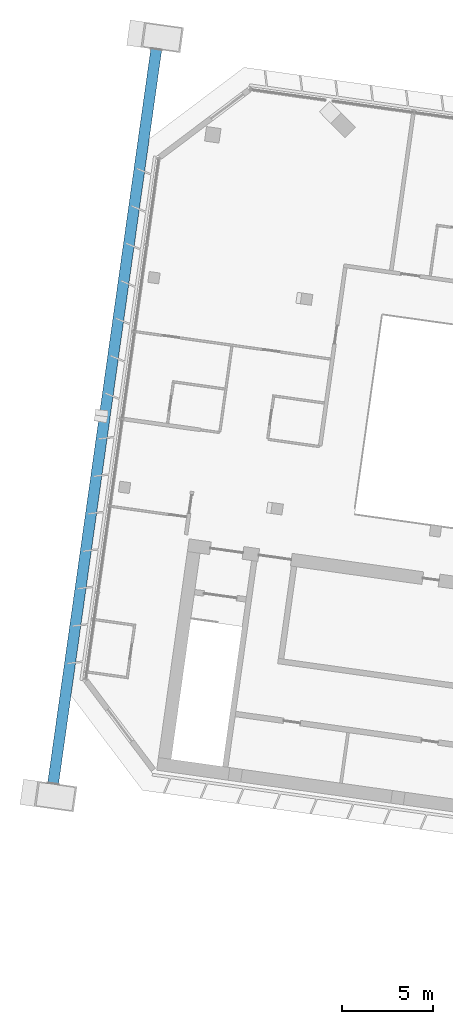
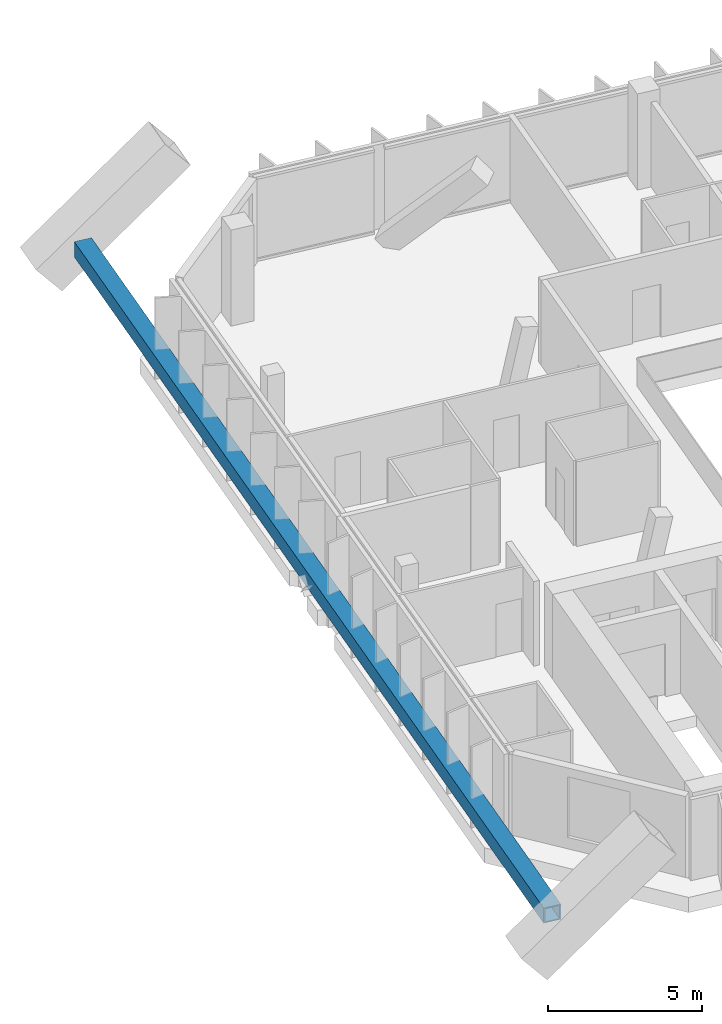
# One storey, part 3 of 32: 1 member.
"""IFC4 building model written with IfcOpenShell, lengths in metres."""

from ifc_helpers import new_model, si_unit, direction, frame, origin, origin_2d, place, context, subcontext, project, spatial, hollow_rectangle, extrude, material, material_profile, profile_set, type_object, element, save


model = new_model("IFC4")

# Units and contexts
model_context = context("Model", 3, precision=1e-05, world=origin(), true_north=direction((0.0, 1.0)))
body_context = subcontext(model_context, "Body", "Model", "MODEL_VIEW")
ifc_project = project(units=[si_unit("LENGTHUNIT", "METRE"), si_unit("AREAUNIT", "SQUARE_METRE"), si_unit("VOLUMEUNIT", "CUBIC_METRE"), si_unit("PLANEANGLEUNIT", "RADIAN"), si_unit("MASSUNIT", "GRAM", prefix="KILO")], contexts=[model_context])

# Site, building, storey
site_placement = place(None, origin())
site = spatial("IfcSite", under=ifc_project, at=site_placement, CompositionType="ELEMENT")
building_placement = place(site_placement, origin())
building = spatial("IfcBuilding", under=site, at=building_placement, Name="Mirante Cascada Hotel Towers", CompositionType="ELEMENT")
storey_placement = place(building_placement, frame((0.0, 0.0, 176.4)))
storey = spatial("IfcBuildingStorey", under=building, at=storey_placement, Name="L41", CompositionType="ELEMENT", Elevation=176.4)

# Member
ifc_material = material(Name="Steel ASTM A572 Gr 50", Category="steel")
ifc_material_profile = material_profile(ifc_material, hollow_rectangle(XDim=0.6, YDim=0.6, WallThickness=0.04, at=origin_2d()), Name="Box chord 600x600x40 ASTM A572 Gr 50")
ifc_profile_set = profile_set([ifc_material_profile], Name="Steel ASTM A572 Gr 50")
member_type = type_object("IfcMemberType", Name="Box chord 600x600x40 ASTM A572 Gr 50", PredefinedType="CHORD", material=ifc_profile_set)
member_placement = place(storey_placement, frame((-96.0227, -13.2408, 1.0), z_axis=(0.1391732, 0.9902681, 0.0), x_axis=(-0.9902681, 0.1391732, 0.0)))
element("IfcMember", 1, at=member_placement, inside=storey, type_object=member_type, Name="exochord T1 L41 1", PredefinedType="CHORD", context=body_context, shape_type="SweptSolid", body=[
    extrude(hollow_rectangle(XDim=0.6, YDim=0.6, WallThickness=0.04, at=origin_2d()), origin(), (0.0, 0.0, 1.0), 40.64),
])

save(model, "model.ifc")
